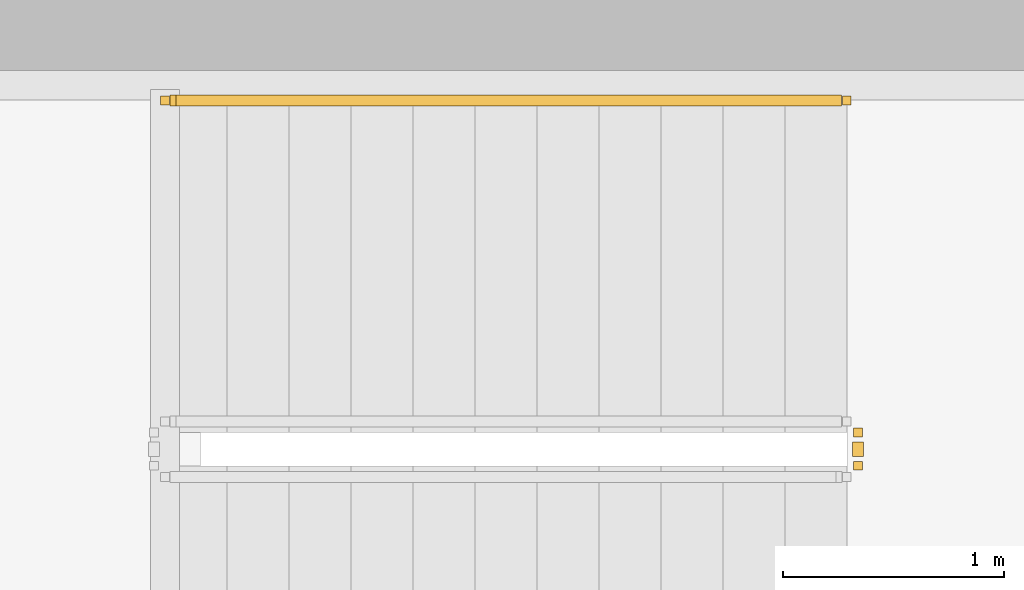
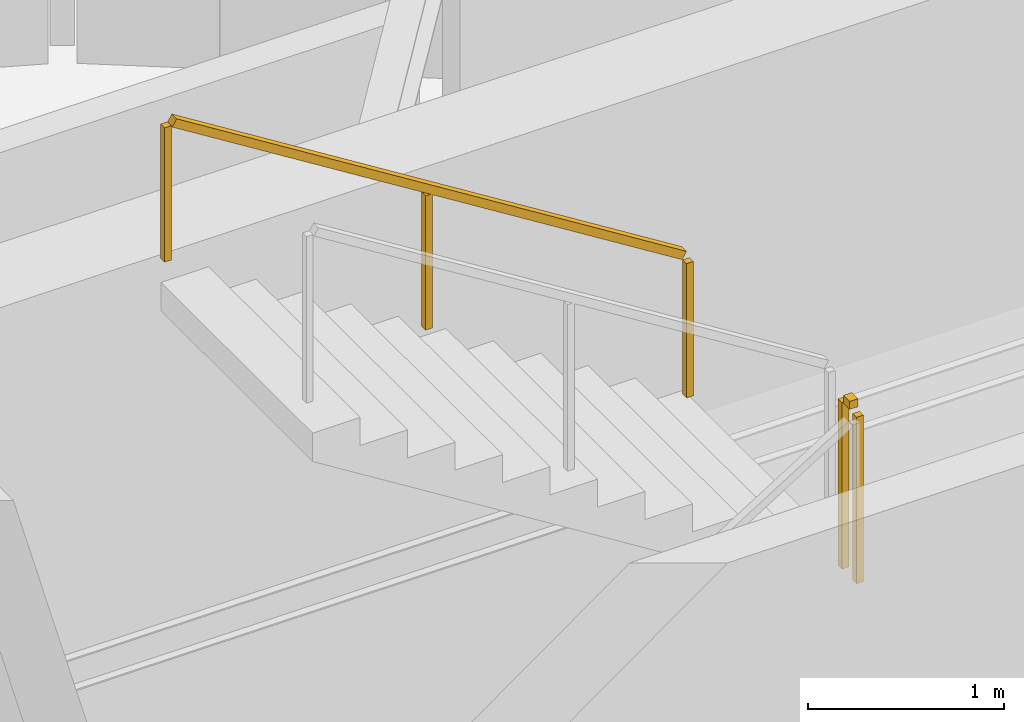
# One storey, part 21 of 22: 2 railings.
"""IFC4 building model written with IfcOpenShell, lengths in metres."""

from ifc_helpers import new_model, si_unit, direction, frame, origin, origin_2d, place, context, subcontext, project, spatial, rectangle, extrude, material, type_object, element, save


model = new_model("IFC4")

# Units and contexts
model_context = context("Model", 3, precision=1e-05, world=origin(), true_north=direction((0.0, 1.0)))
body_context = subcontext(model_context, "Body", "Model", "MODEL_VIEW")
ifc_project = project(units=[si_unit("LENGTHUNIT", "METRE"), si_unit("AREAUNIT", "SQUARE_METRE"), si_unit("VOLUMEUNIT", "CUBIC_METRE"), si_unit("PLANEANGLEUNIT", "RADIAN"), si_unit("MASSUNIT", "GRAM", prefix="KILO")], contexts=[model_context])

# Site, building, storey
site_placement = place(None, origin())
site = spatial("IfcSite", under=ifc_project, at=site_placement, CompositionType="ELEMENT")
building_placement = place(site_placement, origin())
building = spatial("IfcBuilding", under=site, at=building_placement, Name="Kazma Halo Residences", CompositionType="ELEMENT")
storey_placement = place(building_placement, frame((0.0, 0.0, 326.300048828125)))
storey = spatial("IfcBuildingStorey", under=building, at=storey_placement, Name="L82", CompositionType="ELEMENT", Elevation=326.300048828125)

# Railings
ifc_material_1 = material(Name="Painted Steel S355", Category="steel")
railing_type_1 = type_object("IfcRailingType", Name="RLG-STAIR-GRD-1100", PredefinedType="GUARDRAIL", material=ifc_material_1)
railing_1_placement = place(storey_placement, frame((56.330078125, 48.300048828125, 2.099853515625)))
element("IfcRailing", 1, at=railing_1_placement, inside=storey, type_object=railing_type_1, Name="L82 ST-02 stair guard 2", PredefinedType="GUARDRAIL", context=body_context, shape_type="SweptSolid", body=[
    extrude(rectangle(XDim=0.050048828125, YDim=0.050048828125, at=origin_2d()), frame((0.0, 0.04248046875, 1.0751953125), z_axis=(0.0, 1.0, 0.0), x_axis=(-1.0, 0.0, 0.0)), (0.0, 0.0, 1.0), 0.06494140625),
    extrude(rectangle(XDim=0.0400390625, YDim=0.0400390625, at=origin_2d()), origin(), (0.0, 0.0, 1.0), 1.0380859375),
    extrude(rectangle(XDim=0.0400390625, YDim=0.0400390625, at=origin_2d()), frame((0.0, 0.14990234375, 0.0)), (0.0, 0.0, 1.0), 1.0380859375),
])
ifc_material_2 = material(Name="Brushed Stainless Steel", Category="steel")
railing_type_2 = type_object("IfcRailingType", Name="RLG-STAIR-HND-900", PredefinedType="HANDRAIL", material=ifc_material_2)
railing_2_placement = place(storey_placement, frame((56.280029296875, 49.949951171875, 2.27490234375)))
element("IfcRailing", 2, at=railing_2_placement, inside=storey, type_object=railing_type_2, Name="L82 ST-02 stair handrail 2", PredefinedType="HANDRAIL", context=body_context, shape_type="SweptSolid", body=[
    extrude(rectangle(XDim=0.050048828125, YDim=0.050048828125, at=origin_2d()), frame((-0.0361328125, 0.0, 0.8974609375), z_axis=(-0.847998304005, 0.0, 0.529998940003), x_axis=(0.0, -1.0, 0.0)), (0.0, 0.0, 1.0), 3.547119140625),
    extrude(rectangle(XDim=0.0400390625, YDim=0.0400390625, at=origin_2d()), origin(), (0.0, 0.0, 1.0), 0.837890625),
    extrude(rectangle(XDim=0.0400390625, YDim=0.0400390625, at=origin_2d()), frame((-1.5400390625, 0.0, 0.96240234375)), (0.0, 0.0, 1.0), 0.837890625),
    extrude(rectangle(XDim=0.0400390625, YDim=0.0400390625, at=origin_2d()), frame((-3.080078125, 0.0, 1.925048828125)), (0.0, 0.0, 1.0), 0.837890625),
])

save(model, "model.ifc")
